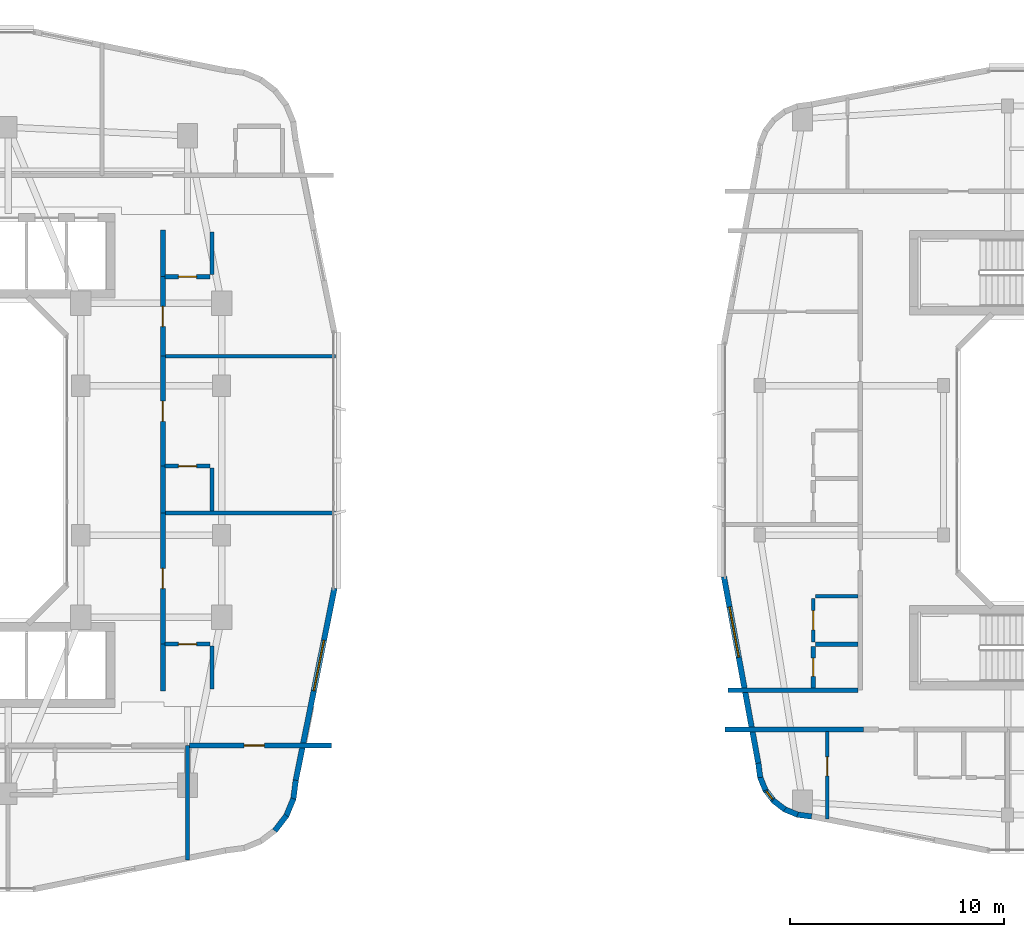
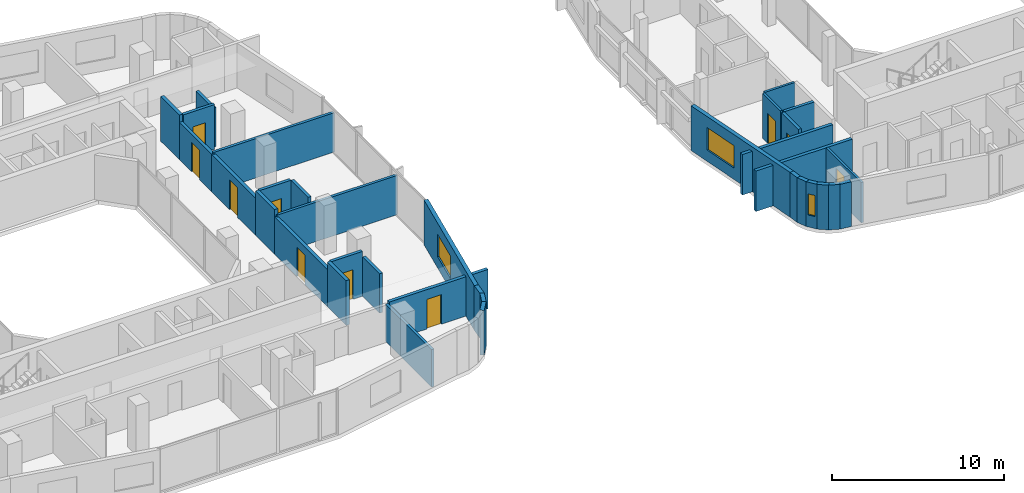
# One storey, part 14 of 26: 34 walls, 10 doors, 3 windows, 13 openings.
"""IFC4 building model written with IfcOpenShell, lengths in metres."""

from ifc_helpers import new_model, si_unit, derived_unit, direction, frame, frame_2d, origin, place, context, subcontext, project, spatial, rectangle, extrude, material, layer, layer_set, type_object, element, fill, save


model = new_model("IFC4")

# Units and contexts
model_context = context("Model", 3, precision=1e-05, world=origin(), true_north=direction((0.0, 1.0)))
body_context = subcontext(model_context, "Body", "Model", "MODEL_VIEW")
ifc_project = project(units=[si_unit("LENGTHUNIT", "METRE"), si_unit("AREAUNIT", "SQUARE_METRE"), si_unit("VOLUMEUNIT", "CUBIC_METRE"), si_unit("PLANEANGLEUNIT", "RADIAN"), si_unit("MASSUNIT", "GRAM", prefix="KILO"), derived_unit("THERMALTRANSMITTANCEUNIT", [(si_unit("POWERUNIT", "WATT"), 1), (si_unit("LENGTHUNIT", "METRE"), -2), (si_unit("THERMODYNAMICTEMPERATUREUNIT", "KELVIN"), -1)])], contexts=[model_context])

# Site, building, storey
site_placement = place(None, origin())
site = spatial("IfcSite", under=ifc_project, at=site_placement, CompositionType="ELEMENT")
building_placement = place(site_placement, origin())
building = spatial("IfcBuilding", under=site, at=building_placement, Name="Kivonza Crest Hotel", CompositionType="ELEMENT")
storey_placement = place(building_placement, frame((0.0, 0.0, 116.0)))
storey = spatial("IfcBuildingStorey", under=building, at=storey_placement, Name="L31", CompositionType="ELEMENT", Elevation=116.0)

# Walls
ifc_material_1 = material(Name="High-density acoustic masonry inter-tenancy wall", Category="masonry")
ifc_layer_1 = layer(ifc_material_1, 0.179931640625)
ifc_layer_set_1 = layer_set([ifc_layer_1], Name="High-density acoustic masonry inter-tenancy wall")
wall_type_1 = type_object("IfcWallType", Name="WL-ACOU-180", PredefinedType="SOLIDWALL", material=ifc_layer_set_1)
wall_1_placement = place(storey_placement, frame((34.199951171875, 6.299072265625, 0.0), z_axis=(0.0, 0.0, 1.0), x_axis=(0.0, 1.0, 0.0)))
element("IfcWall", 1, at=wall_1_placement, inside=storey, type_object=wall_type_1, Name="L31 interior partition WA-L31-T1S-DIV3", PredefinedType="SOLIDWALL", context=body_context, shape_type="SweptSolid", body=[
    extrude(rectangle(XDim=5.350830078125, YDim=0.179931640625, at=frame_2d((2.67529296875, 0.0))), origin(), (0.0, 0.0, 1.0), 2.655029296875),
])
for number, where, z_axis, x_axis, name in (
    (2, (33.050048828125, 22.533935546875, 0.0), (0.0, 0.0, 1.0), (1.0, 0.0, 0.0), "L31 interior partition WA-L31-T1E-DIV1"),
    (3, (33.050048828125, 29.8779296875, 0.0), (0.0, 0.0, 1.0), (1.0, 0.0, 0.0), "L31 interior partition WA-L31-T1E-DIV2"),
):
    element("IfcWall", number, at=place(storey_placement, frame(where, z_axis=z_axis, x_axis=x_axis)), inside=storey, type_object=wall_type_1, Name=name, PredefinedType="SOLIDWALL", context=body_context, shape_type="SweptSolid", body=[
        extrude(rectangle(XDim=8.08984375, YDim=0.179931640625, at=frame_2d((4.044921875, 0.0))), origin(), (0.0, 0.0, 1.0), 2.794921875),
    ])

# Wall, opening, door
ifc_material_2 = material(Name="Autoclaved aerated concrete blockwork", Category="masonry")
ifc_layer_2 = layer(ifc_material_2, 0.219970703125)
ifc_layer_set_2 = layer_set([ifc_layer_2], Name="Autoclaved aerated concrete blockwork")
wall_type_2 = type_object("IfcWallType", Name="WL-ACOU-220", PredefinedType="SOLIDWALL", material=ifc_layer_set_2)
wall_2_placement = place(storey_placement, frame((34.300048828125, 11.64990234375, 0.0), z_axis=(0.0, 0.0, 1.0), x_axis=(1.0, 0.0, 0.0)))
wall_2 = element("IfcWall", 4, at=wall_2_placement, inside=storey, type_object=wall_type_2, Name="L31 interior partition WA-L31-BUS-MTG-N", PredefinedType="SOLIDWALL", context=body_context, shape_type="SweptSolid", body=[
    extrude(rectangle(XDim=6.639892578125, YDim=0.219970703125, at=frame_2d((3.31982421875, 0.0))), origin(), (0.0, 0.0, 1.0), 2.794921875),
])
opening_1_placement = place(wall_2_placement, frame((2.550048828125, 0.0, 0.0)))
opening_1 = element("IfcOpeningElement", 5, at=opening_1_placement, cuts=wall_2, Name="Opening DF-60S", PredefinedType="OPENING", context=body_context, shape_type="SweptSolid", body=[
    extrude(rectangle(XDim=0.949951171875, YDim=2.10009765625, at=frame_2d((0.47509765625, 1.050048828125))), frame((0.0, 0.1201171875, 0.0), z_axis=(0.0, -1.0, 0.0), x_axis=(1.0, 0.0, 0.0)), (0.0, 0.0, 1.0), 0.239990234375),
])
ifc_material_3 = material(Name="Hardwood timber oak", Category="wood")
door_type_1 = type_object("IfcDoorType", Name="DR-FD60-950", OperationType="NOTDEFINED", PredefinedType="DOOR", material=ifc_material_3)
door_1_placement = place(opening_1_placement, frame((0.949951171875, 0.0, 0.0), z_axis=(0.0, 0.0, 1.0), x_axis=(-1.0, 0.0, 0.0)))
door_1 = element("IfcDoor", 6, at=door_1_placement, inside=storey, type_object=door_type_1, Name="L31 Floor Conference Boardroom door", OperationType="SINGLE_SWING_RIGHT", OverallHeight=2.10009765625, OverallWidth=0.949951171875, PredefinedType="DOOR", context=body_context, shape_type="SweptSolid", body=[
    extrude(rectangle(XDim=0.949951171875, YDim=2.10009765625, at=frame_2d((0.47509765625, 1.050048828125))), frame((0.0, 0.02490234375, 0.0), z_axis=(0.0, -1.0, 0.0), x_axis=(1.0, 0.0, 0.0)), (0.0, 0.0, 1.0), 0.050048828125),
])
fill(opening_1, door_1)

# Wall
wall_3_placement = place(storey_placement, frame((33.050048828125, 14.199951171875, 0.0), z_axis=(0.0, 0.0, 1.0), x_axis=(0.0, 1.0, 0.0)))
element("IfcWall", 7, at=wall_3_placement, inside=storey, type_object=wall_type_2, Name="L31 interior partition WA-L31-E09-BCORR", PredefinedType="SOLIDWALL", context=body_context, shape_type="SweptSolid", body=[
    extrude(rectangle(XDim=2.199951171875, YDim=0.219970703125, at=frame_2d((1.10009765625, 0.0))), origin(), (0.0, 0.0, 1.0), 3.179931640625),
])

# Wall, opening, door
wall_4_placement = place(storey_placement, frame((33.050048828125, 16.39990234375, 0.0), z_axis=(0.0, 0.0, 1.0), x_axis=(0.0, 1.0, 0.0)))
wall_4 = element("IfcWall", 8, at=wall_4_placement, inside=storey, type_object=wall_type_2, Name="L31 interior partition WA-L31-E09-MCORR", PredefinedType="SOLIDWALL", context=body_context, shape_type="SweptSolid", body=[
    extrude(rectangle(XDim=6.134033203125, YDim=0.219970703125, at=frame_2d((3.06689453125, 0.0))), origin(), (0.0, 0.0, 1.0), 2.655029296875),
])
opening_2_placement = place(wall_4_placement, frame((2.592041015625, 0.0, 0.0)))
opening_2 = element("IfcOpeningElement", 9, at=opening_2_placement, cuts=wall_4, Name="Opening DU-60", PredefinedType="OPENING", context=body_context, shape_type="SweptSolid", body=[
    extrude(rectangle(XDim=0.949951171875, YDim=2.10009765625, at=frame_2d((0.47509765625, 1.050048828125))), frame((0.0, 0.1201171875, 0.0), z_axis=(0.0, -1.0, 0.0), x_axis=(1.0, 0.0, 0.0)), (0.0, 0.0, 1.0), 0.239990234375),
])
door_type_2 = type_object("IfcDoorType", Name="DR-UNIT-950", OperationType="NOTDEFINED", PredefinedType="DOOR", material=ifc_material_3)
door_2_placement = place(opening_2_placement, frame((0.949951171875, 0.0, 0.0), z_axis=(0.0, 0.0, 1.0), x_axis=(-1.0, 0.0, 0.0)))
door_2 = element("IfcDoor", 10, at=door_2_placement, inside=storey, type_object=door_type_2, Name="L31 E09 guest unit entrance fire door", OperationType="SINGLE_SWING_LEFT", OverallHeight=2.10009765625, OverallWidth=0.949951171875, PredefinedType="DOOR", context=body_context, shape_type="SweptSolid", body=[
    extrude(rectangle(XDim=0.949951171875, YDim=2.10009765625, at=frame_2d((0.47509765625, 1.050048828125))), frame((0.0, 0.02490234375, 0.0), z_axis=(0.0, -1.0, 0.0), x_axis=(1.0, 0.0, 0.0)), (0.0, 0.0, 1.0), 0.050048828125),
])
fill(opening_2, door_2)

# Wall
wall_5_placement = place(storey_placement, frame((33.050048828125, 22.533935546875, 0.0), z_axis=(0.0, 0.0, 1.0), x_axis=(0.0, 1.0, 0.0)))
element("IfcWall", 11, at=wall_5_placement, inside=storey, type_object=wall_type_2, Name="L31 interior partition WA-L31-E10-BCORR", PredefinedType="SOLIDWALL", context=body_context, shape_type="SweptSolid", body=[
    extrude(rectangle(XDim=2.199951171875, YDim=0.219970703125, at=frame_2d((1.10009765625, 0.0))), origin(), (0.0, 0.0, 1.0), 3.179931640625),
])

# Wall, opening, door
wall_6_placement = place(storey_placement, frame((33.050048828125, 24.73388671875, 0.0), z_axis=(0.0, 0.0, 1.0), x_axis=(0.0, 1.0, 0.0)))
wall_6 = element("IfcWall", 12, at=wall_6_placement, inside=storey, type_object=wall_type_2, Name="L31 interior partition WA-L31-E10-MCORR", PredefinedType="SOLIDWALL", context=body_context, shape_type="SweptSolid", body=[
    extrude(rectangle(XDim=5.14404296875, YDim=0.219970703125, at=frame_2d((2.572021484375, 0.0))), origin(), (0.0, 0.0, 1.0), 2.655029296875),
])
opening_3_placement = place(wall_6_placement, frame((2.096923828125, 0.0, 0.0)))
opening_3 = element("IfcOpeningElement", 13, at=opening_3_placement, cuts=wall_6, Name="Opening DU-60", PredefinedType="OPENING", context=body_context, shape_type="SweptSolid", body=[
    extrude(rectangle(XDim=0.949951171875, YDim=2.10009765625, at=frame_2d((0.47509765625, 1.050048828125))), frame((0.0, 0.1201171875, 0.0), z_axis=(0.0, -1.0, 0.0), x_axis=(1.0, 0.0, 0.0)), (0.0, 0.0, 1.0), 0.239990234375),
])
door_3_placement = place(opening_3_placement, frame((0.949951171875, 0.0, 0.0), z_axis=(0.0, 0.0, 1.0), x_axis=(-1.0, 0.0, 0.0)))
door_3 = element("IfcDoor", 14, at=door_3_placement, inside=storey, type_object=door_type_2, Name="L31 E10 guest unit entrance fire door", OperationType="SINGLE_SWING_RIGHT", OverallHeight=2.10009765625, OverallWidth=0.949951171875, PredefinedType="DOOR", context=body_context, shape_type="SweptSolid", body=[
    extrude(rectangle(XDim=0.949951171875, YDim=2.10009765625, at=frame_2d((0.47509765625, 1.050048828125))), frame((0.0, 0.02490234375, 0.0), z_axis=(0.0, -1.0, 0.0), x_axis=(1.0, 0.0, 0.0)), (0.0, 0.0, 1.0), 0.050048828125),
])
fill(opening_3, door_3)

# Wall
wall_7_placement = place(storey_placement, frame((33.050048828125, 33.60009765625, 0.0), z_axis=(0.0, 0.0, 1.0), x_axis=(0.0, 1.0, 0.0)))
element("IfcWall", 15, at=wall_7_placement, inside=storey, type_object=wall_type_2, Name="L31 interior partition WA-L31-E11-BCORR", PredefinedType="SOLIDWALL", context=body_context, shape_type="SweptSolid", body=[
    extrude(rectangle(XDim=2.199951171875, YDim=0.219970703125, at=frame_2d((1.10009765625, 0.0))), origin(), (0.0, 0.0, 1.0), 3.179931640625),
])

# Wall, opening, door
wall_8_placement = place(storey_placement, frame((33.050048828125, 29.8779296875, 0.0), z_axis=(0.0, 0.0, 1.0), x_axis=(0.0, 1.0, 0.0)))
wall_8 = element("IfcWall", 16, at=wall_8_placement, inside=storey, type_object=wall_type_2, Name="L31 interior partition WA-L31-E11-MCORR", PredefinedType="SOLIDWALL", context=body_context, shape_type="SweptSolid", body=[
    extrude(rectangle(XDim=3.72216796875, YDim=0.219970703125, at=frame_2d((1.861083984375, 0.0))), origin(), (0.0, 0.0, 1.0), 2.655029296875),
])
opening_4_placement = place(wall_8_placement, frame((1.385986328125, 0.0, 0.0)))
opening_4 = element("IfcOpeningElement", 17, at=opening_4_placement, cuts=wall_8, Name="Opening DU-60", PredefinedType="OPENING", context=body_context, shape_type="SweptSolid", body=[
    extrude(rectangle(XDim=0.949951171875, YDim=2.10009765625, at=frame_2d((0.47509765625, 1.050048828125))), frame((0.0, 0.1201171875, 0.0), z_axis=(0.0, -1.0, 0.0), x_axis=(1.0, 0.0, 0.0)), (0.0, 0.0, 1.0), 0.239990234375),
])
door_4_placement = place(opening_4_placement, frame((0.949951171875, 0.0, 0.0), z_axis=(0.0, 0.0, 1.0), x_axis=(-1.0, 0.0, 0.0)))
door_4 = element("IfcDoor", 18, at=door_4_placement, inside=storey, type_object=door_type_2, Name="L31 E11 guest unit entrance fire door", OperationType="SINGLE_SWING_LEFT", OverallHeight=2.10009765625, OverallWidth=0.949951171875, PredefinedType="DOOR", context=body_context, shape_type="SweptSolid", body=[
    extrude(rectangle(XDim=0.949951171875, YDim=2.10009765625, at=frame_2d((0.47509765625, 1.050048828125))), frame((0.0, 0.02490234375, 0.0), z_axis=(0.0, -1.0, 0.0), x_axis=(1.0, 0.0, 0.0)), (0.0, 0.0, 1.0), 0.050048828125),
])
fill(opening_4, door_4)

# Walls
wall_9_placement = place(storey_placement, frame((59.360107421875, 12.39990234375, 0.0), z_axis=(0.0, 0.0, 1.0), x_axis=(1.0, 0.0, 0.0)))
element("IfcWall", 19, at=wall_9_placement, inside=storey, type_object=wall_type_2, Name="L31 interior partition WA-L31-A03-LCORR", PredefinedType="SOLIDWALL", context=body_context, shape_type="SweptSolid", body=[
    extrude(rectangle(XDim=6.489990234375, YDim=0.219970703125, at=frame_2d((3.2451171875, 0.0))), origin(), (0.0, 0.0, 1.0), 2.875),
])
wall_10_placement = place(storey_placement, frame((59.52001953125, 14.239990234375, 0.0), z_axis=(0.0, 0.0, 1.0), x_axis=(1.0, 0.0, 0.0)))
element("IfcWall", 20, at=wall_10_placement, inside=storey, type_object=wall_type_2, Name="L31 interior partition WA-L31-T2W-ENDS", PredefinedType="SOLIDWALL", context=body_context, shape_type="SweptSolid", body=[
    extrude(rectangle(XDim=6.080078125, YDim=0.219970703125, at=frame_2d((3.0400390625, 0.0))), origin(), (0.0, 0.0, 1.0), 2.875),
])
ifc_material_4 = material(Name="Precast concrete C40/50", Category="concrete")
ifc_layer_3 = layer(ifc_material_4, 0.260009765625)
ifc_layer_set_3 = layer_set([ifc_layer_3], Name="Precast concrete C40/50")
wall_type_3 = type_object("IfcWallType", Name="WL-EXT-260", PredefinedType="STANDARD", material=ifc_layer_set_3)
wall_11_placement = place(storey_placement, frame((38.285888671875, 7.655029296875, 0.0), z_axis=(0.0, 0.0, 1.0), x_axis=(0.608494022858, 0.793558456666, 0.0)))
element("IfcWall", 21, at=wall_11_placement, inside=storey, type_object=wall_type_3, Name="L31 T1 exterior insulated wall 13", PredefinedType="STANDARD", context=body_context, shape_type="SweptSolid", body=[
    extrude(rectangle(XDim=0.90234375, YDim=0.260009765625, at=frame_2d((0.451171875, 0.0))), origin(), (0.0, 0.0, 1.0), 3.179931640625),
])
wall_12_placement = place(storey_placement, frame((38.81396484375, 8.326904296875, 0.0), z_axis=(0.0, 0.0, 1.0), x_axis=(0.383155708213, 0.923683767999, 0.0)))
element("IfcWall", 22, at=wall_12_placement, inside=storey, type_object=wall_type_3, Name="L31 T1 exterior insulated wall 14", PredefinedType="STANDARD", context=body_context, shape_type="SweptSolid", body=[
    extrude(rectangle(XDim=0.90283203125, YDim=0.260009765625, at=frame_2d((0.451416015625, 0.0))), origin(), (0.0, 0.0, 1.0), 3.179931640625),
])
wall_13_placement = place(storey_placement, frame((39.152099609375, 9.112060546875, 0.0), z_axis=(0.0, 0.0, 1.0), x_axis=(0.130200706103, 0.991487658083, 0.0)))
element("IfcWall", 23, at=wall_13_placement, inside=storey, type_object=wall_type_3, Name="L31 T1 exterior insulated wall 15", PredefinedType="STANDARD", context=body_context, shape_type="SweptSolid", body=[
    extrude(rectangle(XDim=0.920654296875, YDim=0.260009765625, at=frame_2d((0.46044921875, 0.0))), origin(), (0.0, 0.0, 1.0), 3.179931640625),
])

# Wall, opening, window
wall_14_placement = place(storey_placement, frame((39.27099609375, 10.01806640625, 0.0), z_axis=(0.0, 0.0, 1.0), x_axis=(0.197435082048, 0.980315963543, 0.0)))
wall_14 = element("IfcWall", 24, at=wall_14_placement, inside=storey, type_object=wall_type_3, Name="L31 T1 exterior insulated wall 16", PredefinedType="STANDARD", context=body_context, shape_type="SweptSolid", body=[
    extrude(rectangle(XDim=9.1826171875, YDim=0.260009765625, at=frame_2d((4.59130859375, 0.0))), origin(), (0.0, 0.0, 1.0), 3.179931640625),
])
opening_5_placement = place(wall_14_placement, frame((4.285888671875, 0.0, 0.800048828125)))
opening_5 = element("IfcOpeningElement", 25, at=opening_5_placement, cuts=wall_14, Name="Opening WN-05", PredefinedType="OPENING", context=body_context, shape_type="SweptSolid", body=[
    extrude(rectangle(XDim=2.39990234375, YDim=1.60009765625, at=frame_2d((1.199951171875, 0.800048828125))), frame((0.0, 0.14013671875, 0.0), z_axis=(0.0, -1.0, 0.0), x_axis=(1.0, 0.0, 0.0)), (0.0, 0.0, 1.0), 0.280029296875),
])
ifc_material_5 = material(Name="Thermally broken bronze aluminium and low-E double glazing", Category="aluminium")
window_type_1 = type_object("IfcWindowType", Name="WN-240x160", PartitioningType="TRIPLE_PANEL_VERTICAL", PredefinedType="WINDOW", material=ifc_material_5)
window_1_placement = place(opening_5_placement, origin())
window_1 = element("IfcWindow", 26, at=window_1_placement, inside=storey, type_object=window_type_1, Name="L31 T1 facade window 16", OverallHeight=1.60009765625, OverallWidth=2.39990234375, PartitioningType="SINGLE_PANEL", PredefinedType="WINDOW", context=body_context, shape_type="SweptSolid", body=[
    extrude(rectangle(XDim=2.39990234375, YDim=1.60009765625, at=frame_2d((1.199951171875, 0.800048828125))), frame((0.0, 0.030029296875, 0.0), z_axis=(0.0, -1.0, 0.0), x_axis=(1.0, 0.0, 0.0)), (0.0, 0.0, 1.0), 0.06005859375),
])
fill(opening_5, window_1)

# Walls
wall_15_placement = place(storey_placement, frame((60.927978515625, 10.824951171875, 0.0), z_axis=(0.0, 0.0, 1.0), x_axis=(0.131667498923, -0.991293937098, 0.0)))
element("IfcWall", 27, at=wall_15_placement, inside=storey, type_object=wall_type_3, Name="L31 T2 exterior insulated wall 1", PredefinedType="STANDARD", context=body_context, shape_type="SweptSolid", body=[
    extrude(rectangle(XDim=0.6767578125, YDim=0.260009765625, at=frame_2d((0.33837890625, 0.0))), origin(), (0.0, 0.0, 1.0), 3.179931640625),
])
wall_16_placement = place(storey_placement, frame((60.9990234375, 10.199951171875, 0.0), z_axis=(0.0, 0.0, 1.0), x_axis=(0.381988976935, -0.924166879681, 0.0)))
element("IfcWall", 28, at=wall_16_placement, inside=storey, type_object=wall_type_3, Name="L31 T2 exterior insulated wall 2", PredefinedType="STANDARD", context=body_context, shape_type="SweptSolid", body=[
    extrude(rectangle(XDim=0.693359375, YDim=0.260009765625, at=frame_2d((0.3466796875, 0.0))), origin(), (0.0, 0.0, 1.0), 3.179931640625),
])

# Wall, opening, window
wall_17_placement = place(storey_placement, frame((61.236083984375, 9.59912109375, 0.0), z_axis=(0.0, 0.0, 1.0), x_axis=(0.609472651958, -0.792807092876, 0.0)))
wall_17 = element("IfcWall", 29, at=wall_17_placement, inside=storey, type_object=wall_type_3, Name="L31 T2 exterior insulated wall 3", PredefinedType="STANDARD", context=body_context, shape_type="SweptSolid", body=[
    extrude(rectangle(XDim=0.69384765625, YDim=0.260009765625, at=frame_2d((0.346923828125, 0.0))), origin(), (0.0, 0.0, 1.0), 3.179931640625),
])
opening_6_placement = place(wall_17_placement, frame((0.1220703125, 0.0, 0.85009765625)))
opening_6 = element("IfcOpeningElement", 30, at=opening_6_placement, cuts=wall_17, Name="Opening WN-11", PredefinedType="OPENING", context=body_context, shape_type="SweptSolid", body=[
    extrude(rectangle(XDim=0.449951171875, YDim=1.5, at=frame_2d((0.22509765625, 0.75))), frame((0.0, 0.14013671875, 0.0), z_axis=(0.0, -1.0, 0.0), x_axis=(1.0, 0.0, 0.0)), (0.0, 0.0, 1.0), 0.280029296875),
])
window_type_2 = type_object("IfcWindowType", Name="WN-045x150", PartitioningType="SINGLE_PANEL", PredefinedType="WINDOW", material=ifc_material_5)
window_2_placement = place(opening_6_placement, origin())
window_2 = element("IfcWindow", 31, at=window_2_placement, inside=storey, type_object=window_type_2, Name="L31 corner vision window 4", OverallHeight=1.5, OverallWidth=0.449951171875, PartitioningType="SINGLE_PANEL", PredefinedType="WINDOW", context=body_context, shape_type="SweptSolid", body=[
    extrude(rectangle(XDim=0.449951171875, YDim=1.5, at=frame_2d((0.22509765625, 0.75))), frame((0.0, 0.030029296875, 0.0), z_axis=(0.0, -1.0, 0.0), x_axis=(1.0, 0.0, 0.0)), (0.0, 0.0, 1.0), 0.06005859375),
])
fill(opening_6, window_2)

# Walls
wall_18_placement = place(storey_placement, frame((61.62109375, 9.080078125, 0.0), z_axis=(0.0, 0.0, 1.0), x_axis=(0.792506234191, -0.609863811657, 0.0)))
element("IfcWall", 32, at=wall_18_placement, inside=storey, type_object=wall_type_3, Name="L31 T2 exterior insulated wall 4", PredefinedType="STANDARD", context=body_context, shape_type="SweptSolid", body=[
    extrude(rectangle(XDim=0.69384765625, YDim=0.260009765625, at=frame_2d((0.346923828125, 0.0))), origin(), (0.0, 0.0, 1.0), 3.179931640625),
])
wall_19_placement = place(storey_placement, frame((62.126953125, 8.677978515625, 0.0), z_axis=(0.0, 0.0, 1.0), x_axis=(0.92421822618, -0.381864727877, 0.0)))
element("IfcWall", 33, at=wall_19_placement, inside=storey, type_object=wall_type_3, Name="L31 T2 exterior insulated wall 5", PredefinedType="STANDARD", context=body_context, shape_type="SweptSolid", body=[
    extrude(rectangle(XDim=0.693603515625, YDim=0.260009765625, at=frame_2d((0.3466796875, 0.0))), origin(), (0.0, 0.0, 1.0), 3.179931640625),
])
wall_20_placement = place(storey_placement, frame((62.718994140625, 8.4208984375, 0.0), z_axis=(0.0, 0.0, 1.0), x_axis=(0.991433279471, -0.130614135366, 0.0)))
element("IfcWall", 34, at=wall_20_placement, inside=storey, type_object=wall_type_3, Name="L31 T2 exterior insulated wall 6", PredefinedType="STANDARD", context=body_context, shape_type="SweptSolid", body=[
    extrude(rectangle(XDim=0.712158203125, YDim=0.260009765625, at=frame_2d((0.35595703125, 0.0))), origin(), (0.0, 0.0, 1.0), 3.179931640625),
])

# Wall, opening, window
wall_21_placement = place(storey_placement, frame((59.318115234375, 19.55810546875, 0.0), z_axis=(0.0, 0.0, 1.0), x_axis=(0.181209963057, -0.983444431215, 0.0)))
wall_21 = element("IfcWall", 35, at=wall_21_placement, inside=storey, type_object=wall_type_3, Name="L31 T2 exterior insulated wall 36", PredefinedType="STANDARD", context=body_context, shape_type="SweptSolid", body=[
    extrude(rectangle(XDim=8.889404296875, YDim=0.260009765625, at=frame_2d((4.44482421875, 0.0))), origin(), (0.0, 0.0, 1.0), 3.179931640625),
])
opening_7_placement = place(wall_21_placement, frame((1.444091796875, 0.0, 0.800048828125)))
opening_7 = element("IfcOpeningElement", 36, at=opening_7_placement, cuts=wall_21, Name="Opening WN-05", PredefinedType="OPENING", context=body_context, shape_type="SweptSolid", body=[
    extrude(rectangle(XDim=2.39990234375, YDim=1.60009765625, at=frame_2d((1.199951171875, 0.800048828125))), frame((0.0, 0.14013671875, 0.0), z_axis=(0.0, -1.0, 0.0), x_axis=(1.0, 0.0, 0.0)), (0.0, 0.0, 1.0), 0.280029296875),
])
window_3_placement = place(opening_7_placement, origin())
window_3 = element("IfcWindow", 37, at=window_3_placement, inside=storey, type_object=window_type_1, Name="L31 T2 facade window 36", OverallHeight=1.60009765625, OverallWidth=2.39990234375, PartitioningType="SINGLE_PANEL", PredefinedType="WINDOW", context=body_context, shape_type="SweptSolid", body=[
    extrude(rectangle(XDim=2.39990234375, YDim=1.60009765625, at=frame_2d((1.199951171875, 0.800048828125))), frame((0.0, 0.030029296875, 0.0), z_axis=(0.0, -1.0, 0.0), x_axis=(1.0, 0.0, 0.0)), (0.0, 0.0, 1.0), 0.06005859375),
])
fill(opening_7, window_3)

# Wall, opening, door
ifc_material_6 = material(Name="Twin-stud acoustic gypsum board partition", Category="gypsum")
ifc_layer_4 = layer(ifc_material_6, 0.14990234375)
ifc_layer_set_4 = layer_set([ifc_layer_4], Name="Twin-stud acoustic gypsum board partition")
wall_type_4 = type_object("IfcWallType", Name="WL-PART-150", PredefinedType="PARTITIONING", material=ifc_layer_set_4)
wall_22_placement = place(storey_placement, frame((64.159912109375, 8.214111328125, 0.0), z_axis=(0.0, 0.0, 1.0), x_axis=(0.0, 1.0, 0.0)))
wall_22 = element("IfcWall", 38, at=wall_22_placement, inside=storey, type_object=wall_type_4, Name="L31 interior partition WP-L31-A03-BDW1", PredefinedType="PARTITIONING", context=body_context, shape_type="SweptSolid", body=[
    extrude(rectangle(XDim=4.0859375, YDim=0.14990234375, at=frame_2d((2.04296875, 0.0))), origin(), (0.0, 0.0, 1.0), 2.875),
])
opening_8_placement = place(wall_22_placement, frame((2.010009765625, 0.0, 0.0)))
opening_8 = element("IfcOpeningElement", 39, at=opening_8_placement, cuts=wall_22, Name="Opening DI-90", PredefinedType="OPENING", context=body_context, shape_type="SweptSolid", body=[
    extrude(rectangle(XDim=0.89990234375, YDim=2.10009765625, at=frame_2d((0.449951171875, 1.050048828125))), frame((0.0, 0.0849609375, 0.0), z_axis=(0.0, -1.0, 0.0), x_axis=(1.0, 0.0, 0.0)), (0.0, 0.0, 1.0), 0.169921875),
])
door_type_3 = type_object("IfcDoorType", Name="DR-INT-900", OperationType="NOTDEFINED", PredefinedType="DOOR", material=ifc_material_3)
door_5_placement = place(opening_8_placement, origin())
door_5 = element("IfcDoor", 40, at=door_5_placement, inside=storey, type_object=door_type_3, Name="L31 A03 bedroom 1 door", OperationType="SINGLE_SWING_RIGHT", OverallHeight=2.10009765625, OverallWidth=0.89990234375, PredefinedType="DOOR", context=body_context, shape_type="SweptSolid", body=[
    extrude(rectangle(XDim=0.89990234375, YDim=2.10009765625, at=frame_2d((0.449951171875, 1.050048828125))), frame((0.0, 0.02490234375, 0.0), z_axis=(0.0, -1.0, 0.0), x_axis=(1.0, 0.0, 0.0)), (0.0, 0.0, 1.0), 0.050048828125),
])
fill(opening_8, door_5)

# Wall
wall_23_placement = place(storey_placement, frame((63.60009765625, 18.639892578125, 0.0), z_axis=(0.0, 0.0, 1.0), x_axis=(1.0, 0.0, 0.0)))
element("IfcWall", 41, at=wall_23_placement, inside=storey, type_object=wall_type_4, Name="L31 interior partition WP-L31-A05-KF", PredefinedType="PARTITIONING", context=body_context, shape_type="SweptSolid", body=[
    extrude(rectangle(XDim=2.0, YDim=0.14990234375, at=frame_2d((1.0, 0.0))), origin(), (0.0, 0.0, 1.0), 3.179931640625),
])

# Wall, opening, door
wall_24_placement = place(storey_placement, frame((63.5, 16.489990234375, 0.0), z_axis=(0.0, 0.0, 1.0), x_axis=(0.0, 1.0, 0.0)))
wall_24 = element("IfcWall", 42, at=wall_24_placement, inside=storey, type_object=wall_type_4, Name="L31 interior partition WP-L31-A05-KSVC", PredefinedType="PARTITIONING", context=body_context, shape_type="SweptSolid", body=[
    extrude(rectangle(XDim=2.050048828125, YDim=0.14990234375, at=frame_2d((1.02490234375, 0.0))), origin(), (0.0, 0.0, 1.0), 3.179931640625),
])
opening_9_placement = place(wall_24_placement, frame((0.574951171875, 0.0, 0.0)))
opening_9 = element("IfcOpeningElement", 43, at=opening_9_placement, cuts=wall_24, Name="Opening DI-90", PredefinedType="OPENING", context=body_context, shape_type="SweptSolid", body=[
    extrude(rectangle(XDim=0.89990234375, YDim=2.10009765625, at=frame_2d((0.449951171875, 1.050048828125))), frame((0.0, 0.0849609375, 0.0), z_axis=(0.0, -1.0, 0.0), x_axis=(1.0, 0.0, 0.0)), (0.0, 0.0, 1.0), 0.169921875),
])
door_6_placement = place(opening_9_placement, origin())
door_6 = element("IfcDoor", 44, at=door_6_placement, inside=storey, type_object=door_type_3, Name="L31 A05 apartment kitchen door", OperationType="SINGLE_SWING_LEFT", OverallHeight=2.10009765625, OverallWidth=0.89990234375, PredefinedType="DOOR", context=body_context, shape_type="SweptSolid", body=[
    extrude(rectangle(XDim=0.89990234375, YDim=2.10009765625, at=frame_2d((0.449951171875, 1.050048828125))), frame((0.0, 0.02490234375, 0.0), z_axis=(0.0, -1.0, 0.0), x_axis=(1.0, 0.0, 0.0)), (0.0, 0.0, 1.0), 0.050048828125),
])
fill(opening_9, door_6)

ifc_material_7 = material(Name="Moisture-resistant plumbing chase partition wall", Category="gypsum")
ifc_layer_5 = layer(ifc_material_7, 0.199951171875)
ifc_layer_set_5 = layer_set([ifc_layer_5], Name="Moisture-resistant plumbing chase partition wall")
wall_type_5 = type_object("IfcWallType", Name="WL-PLUMB-200", PredefinedType="PLUMBINGWALL", material=ifc_layer_set_5)
wall_25_placement = place(storey_placement, frame((33.14990234375, 16.39990234375, 0.0), z_axis=(0.0, 0.0, 1.0), x_axis=(1.0, 0.0, 0.0)))
wall_25 = element("IfcWall", 45, at=wall_25_placement, inside=storey, type_object=wall_type_5, Name="L31 interior partition WW-L31-E09-BH", PredefinedType="PLUMBINGWALL", context=body_context, shape_type="SweptSolid", body=[
    extrude(rectangle(XDim=2.10009765625, YDim=0.199951171875, at=frame_2d((1.050048828125, 0.0))), origin(), (0.0, 0.0, 1.0), 3.179931640625),
])
opening_10_placement = place(wall_25_placement, frame((0.625, 0.0, 0.0)))
opening_10 = element("IfcOpeningElement", 46, at=opening_10_placement, cuts=wall_25, Name="Opening DI-85", PredefinedType="OPENING", context=body_context, shape_type="SweptSolid", body=[
    extrude(rectangle(XDim=0.85009765625, YDim=2.10009765625, at=frame_2d((0.425048828125, 1.050048828125))), frame((0.0, 0.10986328125, 0.0), z_axis=(0.0, -1.0, 0.0), x_axis=(1.0, 0.0, 0.0)), (0.0, 0.0, 1.0), 0.219970703125),
])
door_type_4 = type_object("IfcDoorType", Name="DR-INT-850", OperationType="NOTDEFINED", PredefinedType="DOOR", material=ifc_material_3)
door_7_placement = place(opening_10_placement, origin())
door_7 = element("IfcDoor", 47, at=door_7_placement, inside=storey, type_object=door_type_4, Name="L31 E09 en-suite bathroom door", OperationType="SINGLE_SWING_RIGHT", OverallHeight=2.10009765625, OverallWidth=0.85009765625, PredefinedType="DOOR", context=body_context, shape_type="SweptSolid", body=[
    extrude(rectangle(XDim=0.85009765625, YDim=2.10009765625, at=frame_2d((0.425048828125, 1.050048828125))), frame((0.0, 0.02490234375, 0.0), z_axis=(0.0, -1.0, 0.0), x_axis=(1.0, 0.0, 0.0)), (0.0, 0.0, 1.0), 0.050048828125),
])
fill(opening_10, door_7)

# Wall
wall_26_placement = place(storey_placement, frame((35.35009765625, 14.300048828125, 0.0), z_axis=(0.0, 0.0, 1.0), x_axis=(0.0, 1.0, 0.0)))
element("IfcWall", 48, at=wall_26_placement, inside=storey, type_object=wall_type_5, Name="L31 interior partition WW-L31-E09-BV", PredefinedType="PLUMBINGWALL", context=body_context, shape_type="SweptSolid", body=[
    extrude(rectangle(XDim=2.0, YDim=0.199951171875, at=frame_2d((1.0, 0.0))), origin(), (0.0, 0.0, 1.0), 2.794921875),
])

# Wall, opening, door
wall_27_placement = place(storey_placement, frame((33.14990234375, 24.73388671875, 0.0), z_axis=(0.0, 0.0, 1.0), x_axis=(1.0, 0.0, 0.0)))
wall_27 = element("IfcWall", 49, at=wall_27_placement, inside=storey, type_object=wall_type_5, Name="L31 interior partition WW-L31-E10-BH", PredefinedType="PLUMBINGWALL", context=body_context, shape_type="SweptSolid", body=[
    extrude(rectangle(XDim=2.10009765625, YDim=0.199951171875, at=frame_2d((1.050048828125, 0.0))), origin(), (0.0, 0.0, 1.0), 3.179931640625),
])
opening_11_placement = place(wall_27_placement, frame((0.625, 0.0, 0.0)))
opening_11 = element("IfcOpeningElement", 50, at=opening_11_placement, cuts=wall_27, Name="Opening DI-85", PredefinedType="OPENING", context=body_context, shape_type="SweptSolid", body=[
    extrude(rectangle(XDim=0.85009765625, YDim=2.10009765625, at=frame_2d((0.425048828125, 1.050048828125))), frame((0.0, 0.10986328125, 0.0), z_axis=(0.0, -1.0, 0.0), x_axis=(1.0, 0.0, 0.0)), (0.0, 0.0, 1.0), 0.219970703125),
])
door_8_placement = place(opening_11_placement, origin())
door_8 = element("IfcDoor", 51, at=door_8_placement, inside=storey, type_object=door_type_4, Name="L31 E10 en-suite bathroom door", OperationType="SINGLE_SWING_LEFT", OverallHeight=2.10009765625, OverallWidth=0.85009765625, PredefinedType="DOOR", context=body_context, shape_type="SweptSolid", body=[
    extrude(rectangle(XDim=0.85009765625, YDim=2.10009765625, at=frame_2d((0.425048828125, 1.050048828125))), frame((0.0, 0.02490234375, 0.0), z_axis=(0.0, -1.0, 0.0), x_axis=(1.0, 0.0, 0.0)), (0.0, 0.0, 1.0), 0.050048828125),
])
fill(opening_11, door_8)

# Wall
wall_28_placement = place(storey_placement, frame((35.35009765625, 22.634033203125, 0.0), z_axis=(0.0, 0.0, 1.0), x_axis=(0.0, 1.0, 0.0)))
element("IfcWall", 52, at=wall_28_placement, inside=storey, type_object=wall_type_5, Name="L31 interior partition WW-L31-E10-BV", PredefinedType="PLUMBINGWALL", context=body_context, shape_type="SweptSolid", body=[
    extrude(rectangle(XDim=2.0, YDim=0.199951171875, at=frame_2d((1.0, 0.0))), origin(), (0.0, 0.0, 1.0), 3.179931640625),
])

# Wall, opening, door
wall_29_placement = place(storey_placement, frame((33.14990234375, 33.60009765625, 0.0), z_axis=(0.0, 0.0, 1.0), x_axis=(1.0, 0.0, 0.0)))
wall_29 = element("IfcWall", 53, at=wall_29_placement, inside=storey, type_object=wall_type_5, Name="L31 interior partition WW-L31-E11-BH", PredefinedType="PLUMBINGWALL", context=body_context, shape_type="SweptSolid", body=[
    extrude(rectangle(XDim=2.10009765625, YDim=0.199951171875, at=frame_2d((1.050048828125, 0.0))), origin(), (0.0, 0.0, 1.0), 3.179931640625),
])
opening_12_placement = place(wall_29_placement, frame((0.625, 0.0, 0.0)))
opening_12 = element("IfcOpeningElement", 54, at=opening_12_placement, cuts=wall_29, Name="Opening DI-85", PredefinedType="OPENING", context=body_context, shape_type="SweptSolid", body=[
    extrude(rectangle(XDim=0.85009765625, YDim=2.10009765625, at=frame_2d((0.425048828125, 1.050048828125))), frame((0.0, 0.10986328125, 0.0), z_axis=(0.0, -1.0, 0.0), x_axis=(1.0, 0.0, 0.0)), (0.0, 0.0, 1.0), 0.219970703125),
])
door_9_placement = place(opening_12_placement, frame((0.85009765625, 0.0, 0.0), z_axis=(0.0, 0.0, 1.0), x_axis=(-1.0, 0.0, 0.0)))
door_9 = element("IfcDoor", 55, at=door_9_placement, inside=storey, type_object=door_type_4, Name="L31 E11 en-suite bathroom door", OperationType="SINGLE_SWING_RIGHT", OverallHeight=2.10009765625, OverallWidth=0.85009765625, PredefinedType="DOOR", context=body_context, shape_type="SweptSolid", body=[
    extrude(rectangle(XDim=0.85009765625, YDim=2.10009765625, at=frame_2d((0.425048828125, 1.050048828125))), frame((0.0, 0.02490234375, 0.0), z_axis=(0.0, -1.0, 0.0), x_axis=(1.0, 0.0, 0.0)), (0.0, 0.0, 1.0), 0.050048828125),
])
fill(opening_12, door_9)

# Walls
wall_30_placement = place(storey_placement, frame((35.35009765625, 33.699951171875, 0.0), z_axis=(0.0, 0.0, 1.0), x_axis=(0.0, 1.0, 0.0)))
element("IfcWall", 56, at=wall_30_placement, inside=storey, type_object=wall_type_5, Name="L31 interior partition WW-L31-E11-BV", PredefinedType="PLUMBINGWALL", context=body_context, shape_type="SweptSolid", body=[
    extrude(rectangle(XDim=2.0, YDim=0.199951171875, at=frame_2d((1.0, 0.0))), origin(), (0.0, 0.0, 1.0), 2.794921875),
])
wall_31_placement = place(storey_placement, frame((63.60009765625, 16.389892578125, 0.0), z_axis=(0.0, 0.0, 1.0), x_axis=(1.0, 0.0, 0.0)))
element("IfcWall", 57, at=wall_31_placement, inside=storey, type_object=wall_type_5, Name="L31 interior partition WW-L31-A05-BK", PredefinedType="PLUMBINGWALL", context=body_context, shape_type="SweptSolid", body=[
    extrude(rectangle(XDim=2.0, YDim=0.199951171875, at=frame_2d((1.0, 0.0))), origin(), (0.0, 0.0, 1.0), 3.179931640625),
])

# Wall, opening, door
wall_32_placement = place(storey_placement, frame((63.5, 14.340087890625, 0.0), z_axis=(0.0, 0.0, 1.0), x_axis=(0.0, 1.0, 0.0)))
wall_32 = element("IfcWall", 58, at=wall_32_placement, inside=storey, type_object=wall_type_5, Name="L31 interior partition WW-L31-A05-BSVC", PredefinedType="PLUMBINGWALL", context=body_context, shape_type="SweptSolid", body=[
    extrude(rectangle(XDim=1.949951171875, YDim=0.199951171875, at=frame_2d((0.97509765625, 0.0))), origin(), (0.0, 0.0, 1.0), 3.179931640625),
])
opening_13_placement = place(wall_32_placement, frame((0.550048828125, 0.0, 0.0)))
opening_13 = element("IfcOpeningElement", 59, at=opening_13_placement, cuts=wall_32, Name="Opening DI-85", PredefinedType="OPENING", context=body_context, shape_type="SweptSolid", body=[
    extrude(rectangle(XDim=0.85009765625, YDim=2.10009765625, at=frame_2d((0.425048828125, 1.050048828125))), frame((0.0, 0.10986328125, 0.0), z_axis=(0.0, -1.0, 0.0), x_axis=(1.0, 0.0, 0.0)), (0.0, 0.0, 1.0), 0.219970703125),
])
door_10_placement = place(opening_13_placement, origin())
door_10 = element("IfcDoor", 60, at=door_10_placement, inside=storey, type_object=door_type_4, Name="L31 A05 apartment bathroom door", OperationType="SINGLE_SWING_RIGHT", OverallHeight=2.10009765625, OverallWidth=0.85009765625, PredefinedType="DOOR", context=body_context, shape_type="SweptSolid", body=[
    extrude(rectangle(XDim=0.85009765625, YDim=2.10009765625, at=frame_2d((0.425048828125, 1.050048828125))), frame((0.0, 0.02490234375, 0.0), z_axis=(0.0, -1.0, 0.0), x_axis=(1.0, 0.0, 0.0)), (0.0, 0.0, 1.0), 0.050048828125),
])
fill(opening_13, door_10)

save(model, "model.ifc")
